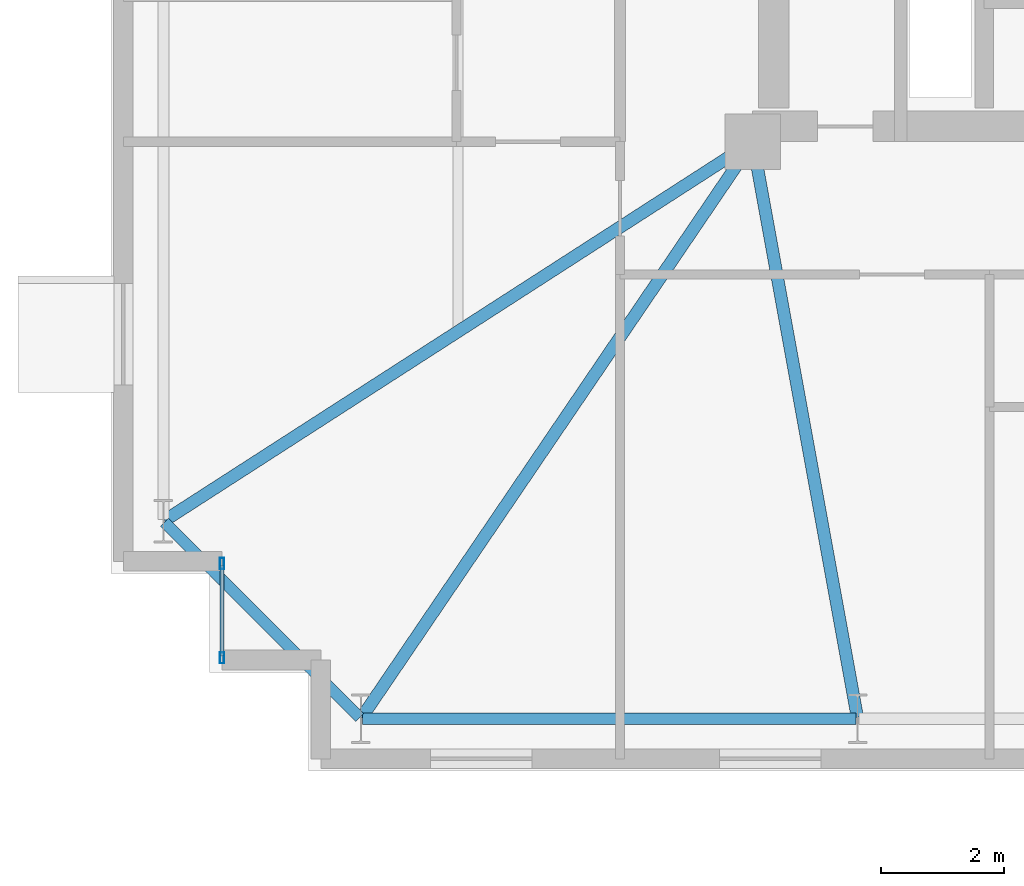
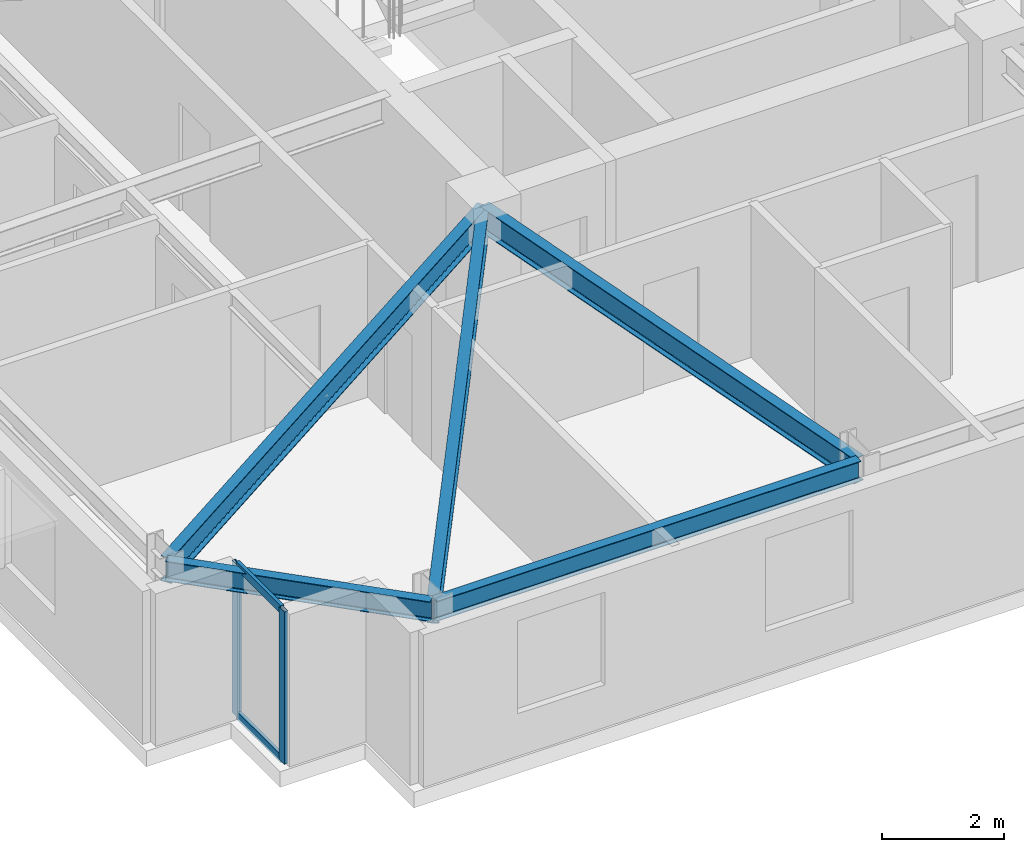
# One storey, part 3 of 18: 5 beams, 4 members, 1 element without a shape of its own.
"""IFC4 building model written with IfcOpenShell, lengths in metres."""

import ifcopenshell
import ifcopenshell.guid

model = None  # the IFC model being written
_history = None  # IfcOwnerHistory: only IFC2X3 demands one
_inside = {}  # id of a spatial element -> (the spatial element, [elements in it])
_under = {}  # id of a project, library or spatial element -> (it, [spatial elements below it])
_declared = {}  # id of a project -> (the project, [libraries it declares])
_typed = {}  # id of a type object -> (the type object, [elements of that type])
_made_of = {}  # id of a material, layer set ... -> (it, [elements and type objects made of it])


def new_model(schema):
    """Start an empty IFC model of exactly this schema.

    Asked for "IFC4X3", IfcOpenShell would pick the latest addendum, in which some entities
    have other attributes; the version numbers below select the first issue.
    IFC2X3 requires an IfcOwnerHistory on every rooted entity: one is made here for all.
    """
    global model, _history
    if schema == "IFC4X3":
        model = ifcopenshell.file(schema_version=(4, 3, 0, 0))
    else:
        model = ifcopenshell.file(schema=schema)
    _inside.clear()
    _under.clear()
    _declared.clear()
    _typed.clear()
    _made_of.clear()
    _history = None
    if model.schema == "IFC2X3":
        org = make("IfcOrganization", Name="unknown")
        user = make(
            "IfcPersonAndOrganization",
            ThePerson=make("IfcPerson", FamilyName="unknown"),
            TheOrganization=org,
        )
        app = make(
            "IfcApplication",
            ApplicationDeveloper=org,
            Version="unknown",
            ApplicationFullName="unknown",
            ApplicationIdentifier="unknown",
        )
        _history = make(
            "IfcOwnerHistory",
            OwningUser=user,
            OwningApplication=app,
            ChangeAction="ADDED",
            CreationDate=0,
        )
    return model


def make(cls, **values):
    """One entity of the class cls with the attributes given. An attribute that is None is left unset."""
    return model.create_entity(
        cls, **{name: value for name, value in values.items() if value is not None}
    )


def rooted(cls, **values):
    """An entity with a GlobalId (a new one), such as an element, a storey or a relation."""
    return make(cls, GlobalId=ifcopenshell.guid.new(), OwnerHistory=_history, **values)


def si_unit(unit_type, name, prefix=None):
    """IfcSIUnit, for example si_unit("LENGTHUNIT", "METRE", prefix="MILLI")."""
    return make("IfcSIUnit", UnitType=unit_type, Prefix=prefix, Name=name)


def assignment(units):
    """IfcUnitAssignment: the units of a project."""
    return None if units is None else make("IfcUnitAssignment", Units=units)


def point(xyz):
    """IfcCartesianPoint."""
    return None if xyz is None else make("IfcCartesianPoint", Coordinates=xyz)


def direction(xyz):
    """IfcDirection."""
    return None if xyz is None else make("IfcDirection", DirectionRatios=xyz)


def frame(location, z_axis=None, x_axis=None):
    """IfcAxis2Placement3D, a coordinate frame: its origin and axes. An axis left out is left unset."""
    return make(
        "IfcAxis2Placement3D",
        Location=point(location),
        Axis=direction(z_axis),
        RefDirection=direction(x_axis),
    )


def frame_2d(location, x_axis=None):
    """IfcAxis2Placement2D, a coordinate frame in the plane: its origin and x axis."""
    return make(
        "IfcAxis2Placement2D", Location=point(location), RefDirection=direction(x_axis)
    )


def origin():
    """The frame at (0, 0, 0) with its axes left unset."""
    return frame((0.0, 0.0, 0.0))


def origin_2d():
    """The frame at (0, 0) in the plane with its x axis left unset."""
    return frame_2d((0.0, 0.0))


def place(relative_to, where):
    """IfcLocalPlacement: puts the frame where relative to a parent placement (None: the world)."""
    return make(
        "IfcLocalPlacement", PlacementRelTo=relative_to, RelativePlacement=where
    )


def context(
    kind, dimensions, precision=None, world=None, true_north=None, identifier=None
):
    """IfcGeometricRepresentationContext, for example the 3D "Model" context."""
    return make(
        "IfcGeometricRepresentationContext",
        ContextIdentifier=identifier,
        ContextType=kind,
        CoordinateSpaceDimension=dimensions,
        Precision=precision,
        WorldCoordinateSystem=world,
        TrueNorth=true_north,
    )


def subcontext(parent, identifier, kind, view, scale=None):
    """IfcGeometricRepresentationSubContext, for example "Body" below "Model"."""
    return make(
        "IfcGeometricRepresentationSubContext",
        ContextIdentifier=identifier,
        ContextType=kind,
        ParentContext=parent,
        TargetScale=scale,
        TargetView=view,
    )


def project(units=None, contexts=None):
    """IfcProject with its units and contexts."""
    return rooted(
        "IfcProject",
        Name="project",
        RepresentationContexts=contexts,
        UnitsInContext=assignment(units),
    )


def spatial(cls, under=None, at=None, **own):
    """A site, building, storey or space (cls), placed at a placement, below another one or the project."""
    s = rooted(cls, ObjectPlacement=at, **own)
    if under is not None:
        _under.setdefault(under.id(), (under, []))[1].append(s)
    return s


def profile(cls, at=None, kind="AREA", **sizes):
    """A parametric profile (cls). Its sizes go by their IFC names, for example OverallWidth=200.0."""
    return make(cls, ProfileType=kind, Position=at, **sizes)


def hollow_rectangle(**sizes):
    """IfcRectangleHollowProfileDef."""
    return profile("IfcRectangleHollowProfileDef", **sizes)


def i_section(**sizes):
    """IfcIShapeProfileDef."""
    return profile("IfcIShapeProfileDef", **sizes)


def extrude(swept, where, along, depth):
    """IfcExtrudedAreaSolid: the profile swept, set in the frame where, extruded along a direction by depth."""
    return make(
        "IfcExtrudedAreaSolid",
        SweptArea=swept,
        Position=where,
        ExtrudedDirection=direction(along),
        Depth=depth,
    )


def shape(context_of_items, identifier, shape_type, items):
    """IfcShapeRepresentation: the items that make up one representation, for example the "Body"."""
    return make(
        "IfcShapeRepresentation",
        ContextOfItems=context_of_items,
        RepresentationIdentifier=identifier,
        RepresentationType=shape_type,
        Items=items,
    )


def material(Name=None, Category=None):
    """IfcMaterial."""
    return make("IfcMaterial", Name=Name, Category=Category)


def layer(
    of_material, thickness, ventilated=None, Name=None, Category=None, Priority=None
):
    """IfcMaterialLayer: one layer of a wall or slab, of a material (None: an air gap)."""
    return make(
        "IfcMaterialLayer",
        Material=of_material,
        LayerThickness=thickness,
        IsVentilated=ventilated,
        Name=Name,
        Category=Category,
        Priority=Priority,
    )


def layer_set(layers, Name=None):
    """IfcMaterialLayerSet."""
    return make("IfcMaterialLayerSet", MaterialLayers=layers, LayerSetName=Name)


def material_profile(
    of_material, cross_section, Name=None, Category=None, Priority=None
):
    """IfcMaterialProfile: a cross section and its material."""
    return make(
        "IfcMaterialProfile",
        Name=Name,
        Material=of_material,
        Profile=cross_section,
        Priority=Priority,
        Category=Category,
    )


def profile_set(profiles, Name=None, composite=None):
    """IfcMaterialProfileSet."""
    return make(
        "IfcMaterialProfileSet",
        Name=Name,
        MaterialProfiles=profiles,
        CompositeProfile=composite,
    )


def made_of(thing, what):
    """Note that an element or type object is made of a material, layer set ...; save() writes the relation."""
    if what is not None:
        _made_of.setdefault(what.id(), (what, []))[1].append(thing)
    return thing


def type_object(cls, material=None, **own):
    """A type object (cls), such as IfcWallType, which elements share."""
    return made_of(rooted(cls, **own), material)


def element(
    cls,
    number,
    at=None,
    inside=None,
    cuts=None,
    type_object=None,
    material=None,
    context=None,
    identifier="Body",
    shape_type=None,
    held_by="IfcProductDefinitionShape",
    body=None,
    shapes=None,
    **own,
):
    """One element of the class cls, such as IfcWall. Its Tag is "e" and its number.

    at: its placement. inside: the storey or other place that contains it. cuts: it is an
    opening in that element (IfcRelVoidsElement). A single representation is given by context,
    identifier, shape_type and body (its items); several are given by shapes. held_by: the class
    of the entity that holds the representations. save() writes the other relations.
    """
    e = rooted(cls, Tag="e%d" % number, ObjectPlacement=at, **own)
    if body is not None:
        shapes = [shape(context, identifier, shape_type, body)]
    if shapes is not None:
        e.Representation = make(held_by, Representations=shapes)
    if inside is not None:
        _inside.setdefault(inside.id(), (inside, []))[1].append(e)
    if cuts is not None:
        rooted(
            "IfcRelVoidsElement", RelatingBuildingElement=cuts, RelatedOpeningElement=e
        )
    if type_object is not None:
        _typed.setdefault(type_object.id(), (type_object, []))[1].append(e)
    return made_of(e, material)


def aggregate(whole, parts):
    """IfcRelAggregates: a whole, such as a stair, and the parts it consists of."""
    return rooted("IfcRelAggregates", RelatingObject=whole, RelatedObjects=parts)


def save(model, path):
    """Write the relations noted so far, then the file.

    IfcRelAggregates (storeys below a building ...), IfcRelContainedInSpatialStructure (elements
    in a storey), IfcRelDefinesByType, IfcRelAssociatesMaterial and IfcRelDeclares: one each for
    every whole, place, type object, material and project.
    """
    for whole, parts in _under.values():
        aggregate(whole, parts)
    for where, things in _inside.values():
        rooted(
            "IfcRelContainedInSpatialStructure",
            RelatedElements=things,
            RelatingStructure=where,
        )
    for kind, things in _typed.values():
        rooted("IfcRelDefinesByType", RelatedObjects=things, RelatingType=kind)
    for what, things in _made_of.values():
        rooted("IfcRelAssociatesMaterial", RelatedObjects=things, RelatingMaterial=what)
    for by, libraries in _declared.values():
        rooted("IfcRelDeclares", RelatingContext=by, RelatedDefinitions=libraries)
    model.write(path)


model = new_model("IFC4")

# Units and contexts
model_context = context("Model", 3, precision=1e-05, world=origin(), true_north=direction((0.0, 1.0)))
body_context = subcontext(model_context, "Body", "Model", "MODEL_VIEW")
ifc_project = project(units=[si_unit("LENGTHUNIT", "METRE"), si_unit("AREAUNIT", "SQUARE_METRE"), si_unit("VOLUMEUNIT", "CUBIC_METRE"), si_unit("PLANEANGLEUNIT", "RADIAN"), si_unit("MASSUNIT", "GRAM", prefix="KILO")], contexts=[model_context])

# Site, building, storey
site_placement = place(None, origin())
site = spatial("IfcSite", under=ifc_project, at=site_placement, CompositionType="ELEMENT")
building_placement = place(site_placement, origin())
building = spatial("IfcBuilding", under=site, at=building_placement, Name="Qobustan Lattice House", CompositionType="ELEMENT")
storey_placement = place(building_placement, frame((0.0, 0.0, 154.449951171875)))
storey = spatial("IfcBuildingStorey", under=building, at=storey_placement, Name="L43", CompositionType="ELEMENT", Elevation=154.449951171875)

# Beams
ifc_material_1 = material(Name="Steel S355", Category="steel")
ifc_material_profile_1 = material_profile(ifc_material_1, i_section(OverallWidth=0.199951171875, OverallDepth=0.5, WebThickness=0.01025390625, FlangeThickness=0.01611328125, FilletRadius=0.02099609375, at=origin_2d()), Name="IPE500")
ifc_profile_set_1 = profile_set([ifc_material_profile_1], Name="Steel S355")
beam_type_1 = type_object("IfcBeamType", Name="BM-FLG-IPE500", PredefinedType="USERDEFINED", material=ifc_profile_set_1)
beam_1_placement = place(storey_placement, frame((-25.135986328125, -14.92919921875, 2.7900390625), z_axis=(0.561834572616, 0.827249607442, 0.0), x_axis=(-0.827249607442, 0.561834572616, 0.0)))
element("IfcBeam", 1, at=beam_1_placement, inside=storey, type_object=beam_type_1, Name="L43 primary floor girder RAD-S1W", ObjectType="GIRDER", PredefinedType="USERDEFINED", context=body_context, shape_type="SweptSolid", body=[
    extrude(i_section(OverallWidth=0.199951171875, OverallDepth=0.5, WebThickness=0.01025390625, FlangeThickness=0.01611328125, FilletRadius=0.02099609375, at=origin_2d()), origin(), (0.0, 0.0, 1.0), 11.25244140625),
])
beam_2_placement = place(storey_placement, frame((-17.1044921875, -14.92529296875, 2.7900390625), z_axis=(-0.178871801984, 0.983872389314, 0.0), x_axis=(-0.983872389314, -0.178871801984, 0.0)))
element("IfcBeam", 2, at=beam_2_placement, inside=storey, type_object=beam_type_1, Name="L43 primary floor girder RAD-S2", ObjectType="GIRDER", PredefinedType="USERDEFINED", context=body_context, shape_type="SweptSolid", body=[
    extrude(i_section(OverallWidth=0.199951171875, OverallDepth=0.5, WebThickness=0.01025390625, FlangeThickness=0.01611328125, FilletRadius=0.02099609375, at=origin_2d()), origin(), (0.0, 0.0, 1.0), 9.453125),
])
beam_3_placement = place(storey_placement, frame((-28.3291015625, -11.736572265625, 2.7900390625), z_axis=(0.840746836292, 0.5414284415, 0.0), x_axis=(-0.5414284415, 0.840746836292, 0.0)))
element("IfcBeam", 3, at=beam_3_placement, inside=storey, type_object=beam_type_1, Name="L43 primary floor girder RAD-W4", ObjectType="GIRDER", PredefinedType="USERDEFINED", context=body_context, shape_type="SweptSolid", body=[
    extrude(i_section(OverallWidth=0.199951171875, OverallDepth=0.5, WebThickness=0.01025390625, FlangeThickness=0.01611328125, FilletRadius=0.02099609375, at=origin_2d()), origin(), (0.0, 0.0, 1.0), 11.30908203125),
])
ifc_material_2 = material(Name="Steel S355", Category="steel")
ifc_material_profile_2 = material_profile(ifc_material_2, i_section(OverallWidth=0.179931640625, OverallDepth=0.39990234375, WebThickness=0.008544921875, FlangeThickness=0.013427734375, FilletRadius=0.02099609375, at=origin_2d()), Name="IPE400")
ifc_profile_set_2 = profile_set([ifc_material_profile_2], Name="Steel S355")
beam_type_2 = type_object("IfcBeamType", Name="BM-SPD-IPE400", PredefinedType="SPANDREL", material=ifc_profile_set_2)
beam_4_placement = place(storey_placement, frame((-25.125, -14.949951171875, 2.840087890625), z_axis=(1.0, 0.0, 0.0), x_axis=(0.0, 1.0, 0.0)))
element("IfcBeam", 4, at=beam_4_placement, inside=storey, type_object=beam_type_2, Name="L43 perimeter spandrel S1-S2", PredefinedType="SPANDREL", context=body_context, shape_type="SweptSolid", body=[
    extrude(i_section(OverallWidth=0.179931640625, OverallDepth=0.39990234375, WebThickness=0.008544921875, FlangeThickness=0.013427734375, FilletRadius=0.02099609375, at=origin_2d()), origin(), (0.0, 0.0, 1.0), 8.0),
])
beam_5_placement = place(storey_placement, frame((-28.332275390625, -11.767578125, 2.840087890625), z_axis=(0.707079505568, -0.707134055753, 0.0), x_axis=(0.707134055753, 0.707079505568, 0.0)))
element("IfcBeam", 5, at=beam_5_placement, inside=storey, type_object=beam_type_2, Name="L43 perimeter spandrel W4-S1", PredefinedType="SPANDREL", context=body_context, shape_type="SweptSolid", body=[
    extrude(i_section(OverallWidth=0.179931640625, OverallDepth=0.39990234375, WebThickness=0.008544921875, FlangeThickness=0.013427734375, FilletRadius=0.02099609375, at=origin_2d()), origin(), (0.0, 0.0, 1.0), 4.4755859375),
])

# Curtain wall, members
ifc_material_3 = material(Name="Anodised aluminium and low-E glazing", Category="aluminium")
ifc_layer = layer(ifc_material_3, 0.219970703125)
ifc_layer_set = layer_set([ifc_layer], Name="Anodised aluminium and low-E glazing")
curtain_wall_type = type_object("IfcCurtainWallType", Name="CW-FAC-02", PredefinedType="USERDEFINED", material=ifc_layer_set)
curtain_wall_placement = place(storey_placement, origin())
curtain_wall = element("IfcCurtainWall", 6, at=curtain_wall_placement, inside=storey, type_object=curtain_wall_type, Name="L43 serrated corner faceted glazing 3", ObjectType="CURTAIN WALL", PredefinedType="USERDEFINED")
ifc_material_4 = material(Name="Anodised aluminium EN AW-6063 T6", Category="aluminium")
ifc_material_profile_3 = material_profile(ifc_material_4, hollow_rectangle(XDim=0.070068359375, YDim=0.179931640625, WallThickness=0.00439453125, at=origin_2d()), Name="CWM-180x70")
ifc_profile_set_3 = profile_set([ifc_material_profile_3], Name="Anodised aluminium EN AW-6063 T6")
member_type_1 = type_object("IfcMemberType", Name="CWM-STD-180", PredefinedType="MULLION", material=ifc_profile_set_3)
member_1_placement = place(storey_placement, frame((-27.39990234375, -13.965087890625, 0.0), z_axis=(0.0, 0.0, 1.0), x_axis=(-1.0, 0.0, 0.0)))
member_1 = element("IfcMember", 7, at=member_1_placement, type_object=member_type_1, Name="CW-F2 mullion 1", PredefinedType="MULLION", context=body_context, shape_type="SweptSolid", body=[
    extrude(hollow_rectangle(XDim=0.070068359375, YDim=0.179931640625, WallThickness=0.00439453125, at=origin_2d()), origin(), (0.0, 0.0, 1.0), 3.0400390625),
])
member_2_placement = place(storey_placement, frame((-27.39990234375, -12.43505859375, 0.0), z_axis=(0.0, 0.0, 1.0), x_axis=(-1.0, 0.0, 0.0)))
member_2 = element("IfcMember", 8, at=member_2_placement, type_object=member_type_1, Name="CW-F2 mullion 2", PredefinedType="MULLION", context=body_context, shape_type="SweptSolid", body=[
    extrude(hollow_rectangle(XDim=0.070068359375, YDim=0.179931640625, WallThickness=0.00439453125, at=origin_2d()), origin(), (0.0, 0.0, 1.0), 3.0400390625),
])
ifc_material_5 = material(Name="Anodised aluminium EN AW-6063 T6", Category="aluminium")
ifc_material_profile_4 = material_profile(ifc_material_5, hollow_rectangle(XDim=0.06494140625, YDim=0.159912109375, WallThickness=0.00390625, at=origin_2d()), Name="CWT-160x65")
ifc_profile_set_4 = profile_set([ifc_material_profile_4], Name="Anodised aluminium EN AW-6063 T6")
member_type_2 = type_object("IfcMemberType", Name="CWT-HOR-160", PredefinedType="USERDEFINED", material=ifc_profile_set_4)
member_3_placement = place(storey_placement, frame((-27.39990234375, -13.929931640625, 0.032470703125), z_axis=(0.0, 1.0, 0.0), x_axis=(-1.0, 0.0, 0.0)))
member_3 = element("IfcMember", 9, at=member_3_placement, type_object=member_type_2, Name="CW-F2 transom 1.1", ObjectType="TRANSOM", PredefinedType="USERDEFINED", context=body_context, shape_type="SweptSolid", body=[
    extrude(hollow_rectangle(XDim=0.06494140625, YDim=0.159912109375, WallThickness=0.00390625, at=origin_2d()), origin(), (0.0, 0.0, 1.0), 1.4599609375),
])
member_4_placement = place(storey_placement, frame((-27.39990234375, -13.929931640625, 3.007568359375), z_axis=(0.0, 1.0, 0.0), x_axis=(-1.0, 0.0, 0.0)))
member_4 = element("IfcMember", 10, at=member_4_placement, type_object=member_type_2, Name="CW-F2 transom 1.2", ObjectType="TRANSOM", PredefinedType="USERDEFINED", context=body_context, shape_type="SweptSolid", body=[
    extrude(hollow_rectangle(XDim=0.06494140625, YDim=0.159912109375, WallThickness=0.00390625, at=origin_2d()), origin(), (0.0, 0.0, 1.0), 1.4599609375),
])
aggregate(curtain_wall, [member_1, member_2, member_3, member_4])

save(model, "model.ifc")
